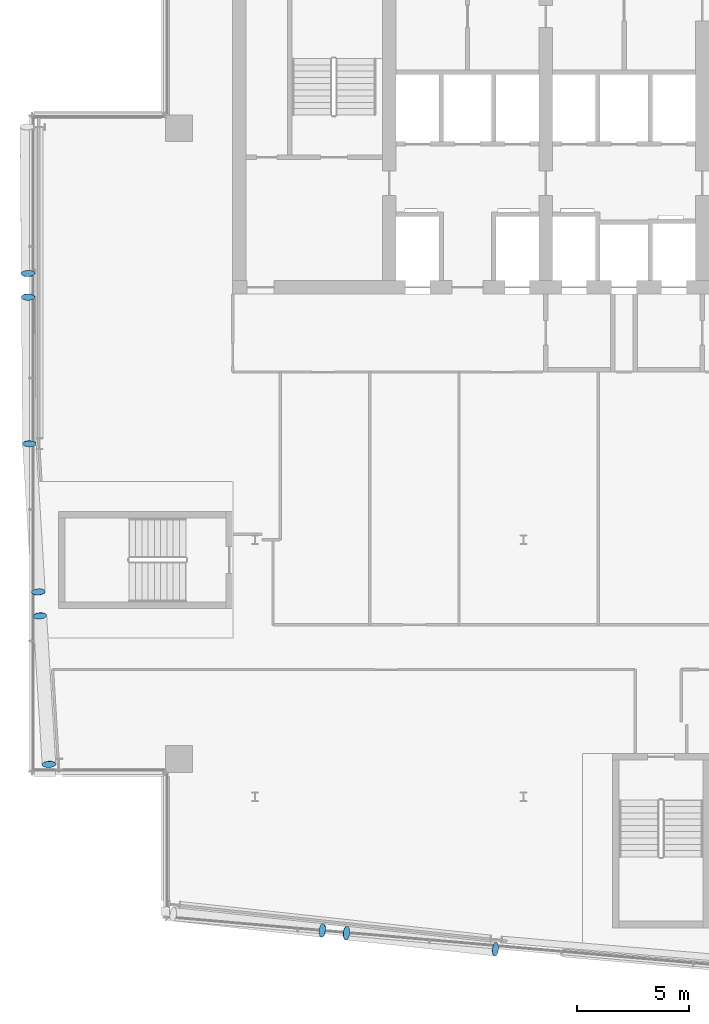
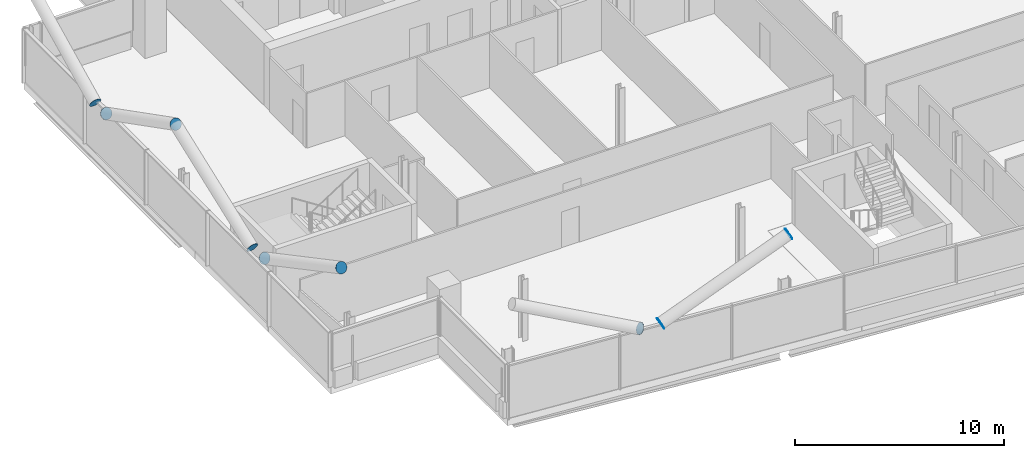
# One storey, part 20 of 26: 9 discrete accessories.
"""IFC4 building model written with IfcOpenShell, lengths in metres."""

from ifc_helpers import new_model, si_unit, direction, frame, origin, origin_2d, place, context, subcontext, project, spatial, circle, extrude, material, material_profile, profile_set, type_object, element, save


model = new_model("IFC4")

# Units and contexts
model_context = context("Model", 3, precision=1e-05, world=origin(), true_north=direction((0.0, 1.0)))
body_context = subcontext(model_context, "Body", "Model", "MODEL_VIEW")
ifc_project = project(units=[si_unit("LENGTHUNIT", "METRE"), si_unit("AREAUNIT", "SQUARE_METRE"), si_unit("VOLUMEUNIT", "CUBIC_METRE"), si_unit("PLANEANGLEUNIT", "RADIAN"), si_unit("MASSUNIT", "GRAM", prefix="KILO")], contexts=[model_context])

# Site, building, storey
site_placement = place(None, origin())
site = spatial("IfcSite", under=ifc_project, at=site_placement, CompositionType="ELEMENT")
building_placement = place(site_placement, origin())
building = spatial("IfcBuilding", under=site, at=building_placement, Name="Wharfspan Tower", CompositionType="ELEMENT")
storey_placement = place(building_placement, frame((0.0, 0.0, 214.300049)))
storey = spatial("IfcBuildingStorey", under=building, at=storey_placement, Name="L53", CompositionType="ELEMENT", Elevation=214.300049)

# Discrete accessories
ifc_material = material(Name="Steel S460NH", Category="steel")
ifc_material_profile = material_profile(ifc_material, circle(Radius=0.304932, at=origin_2d()))
ifc_profile_set = profile_set([ifc_material_profile], Name="Steel S460NH")
discrete_accessory_type = type_object("IfcDiscreteAccessoryType", Name="End plate CHS 610x25", PredefinedType="BRACKET", material=ifc_profile_set)
for number, where, z_axis, x_axis, name in (
    (1, (28.080078, 5.411865, 3.166504), (0.880146, -0.097794, 0.464521), (0.110432, 0.993888, 0.0), "End plate CHS 610x25"),
    (2, (34.741699, 4.689941, 6.5), (0.895016, -0.096758, 0.435413), (0.107482, 0.994209, -1e-06), "End plate CHS 610x25"),
):
    element("IfcDiscreteAccessory", number, at=place(storey_placement, frame(where, z_axis=z_axis, x_axis=x_axis)), inside=storey, type_object=discrete_accessory_type, Name=name, PredefinedType="BRACKET", context=body_context, shape_type="SweptSolid", body=[
        extrude(circle(Radius=0.304932, at=origin_2d()), origin(), (0.0, 0.0, 1.0), 0.01001),
    ])
discrete_accessory_1_placement = place(storey_placement, frame((27.014404, 5.527344, 3.166504), z_axis=(-0.885482, 0.095728, 0.454707), x_axis=(-0.107482, -0.994211, 1e-06)))
element("IfcDiscreteAccessory", 3, at=discrete_accessory_1_placement, inside=storey, type_object=discrete_accessory_type, Name="End plate CHS 610x25", PredefinedType="BRACKET", context=body_context, shape_type="SweptSolid", body=[
    extrude(circle(Radius=0.304932, at=origin_2d()), origin(), (0.0, 0.0, 1.0), 0.010254),
])
for number, where, z_axis, x_axis, name in (
    (4, (13.853271, 33.85791, 3.165283), (0.0, -0.884385, 0.466759), (1.0, 0.0, 0.0), "End plate CHS 610x25"),
    (5, (13.905029, 27.300049, 6.5), (0.0, -0.899235, 0.437466), (1.0, 0.0, 0.0), "End plate CHS 610x25"),
):
    element("IfcDiscreteAccessory", number, at=place(storey_placement, frame(where, z_axis=z_axis, x_axis=x_axis)), inside=storey, type_object=discrete_accessory_type, Name=name, PredefinedType="BRACKET", context=body_context, shape_type="SweptSolid", body=[
        extrude(circle(Radius=0.304932, at=origin_2d()), origin(), (0.0, 0.0, 1.0), 0.01001),
    ])
for number, where, z_axis, x_axis, name in (
    (6, (13.844971, 34.901611, 3.165283), (-0.024035, 0.88931, 0.456673), (-0.999631, -0.027015, -3e-06), "End plate CHS 610x25"),
    (7, (14.376221, 19.601807, 3.166016), (0.07194, -0.887262, 0.455621), (0.996733, 0.080816, 0.0), "End plate CHS 610x25"),
):
    element("IfcDiscreteAccessory", number, at=place(storey_placement, frame(where, z_axis=z_axis, x_axis=x_axis)), inside=storey, type_object=discrete_accessory_type, Name=name, PredefinedType="BRACKET", context=body_context, shape_type="SweptSolid", body=[
        extrude(circle(Radius=0.304932, at=origin_2d()), origin(), (0.0, 0.0, 1.0), 0.010254),
    ])
discrete_accessory_2_placement = place(storey_placement, frame((14.782715, 12.963379, 6.5), z_axis=(0.049629, -0.893325, 0.446663), x_axis=(0.998463, 0.05547, 0.0)))
element("IfcDiscreteAccessory", 8, at=discrete_accessory_2_placement, inside=storey, type_object=discrete_accessory_type, Name="End plate CHS 610x25", PredefinedType="BRACKET", context=body_context, shape_type="SweptSolid", body=[
    extrude(circle(Radius=0.304932, at=origin_2d()), origin(), (0.0, 0.0, 1.0), 0.009766),
])
discrete_accessory_3_placement = place(storey_placement, frame((14.311523, 20.661621, 3.166016), z_axis=(-0.07194, 0.887262, 0.455621), x_axis=(-0.996733, -0.080816, 0.0)))
element("IfcDiscreteAccessory", 9, at=discrete_accessory_3_placement, inside=storey, type_object=discrete_accessory_type, Name="End plate CHS 610x25", PredefinedType="BRACKET", context=body_context, shape_type="SweptSolid", body=[
    extrude(circle(Radius=0.304932, at=origin_2d()), origin(), (0.0, 0.0, 1.0), 0.010254),
])

save(model, "model.ifc")
